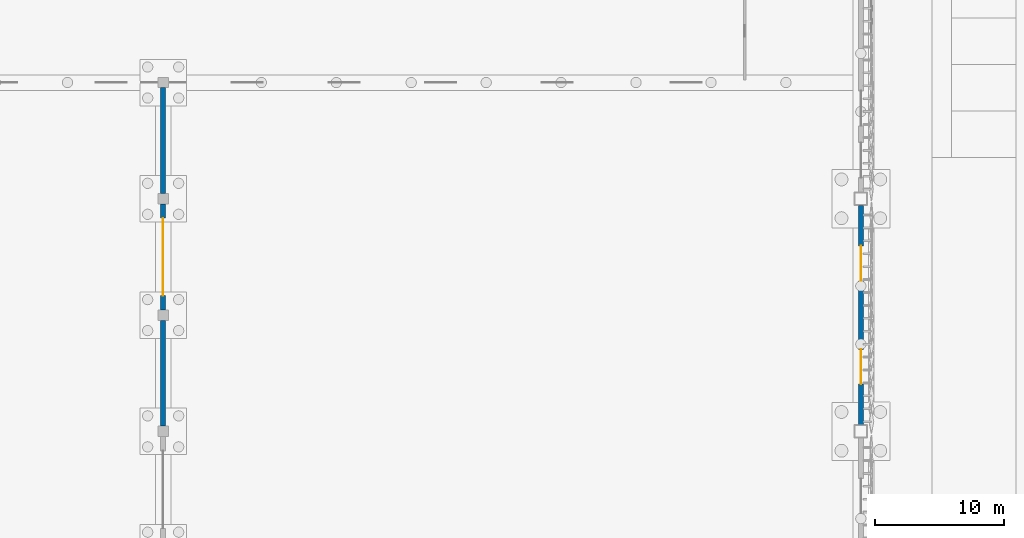
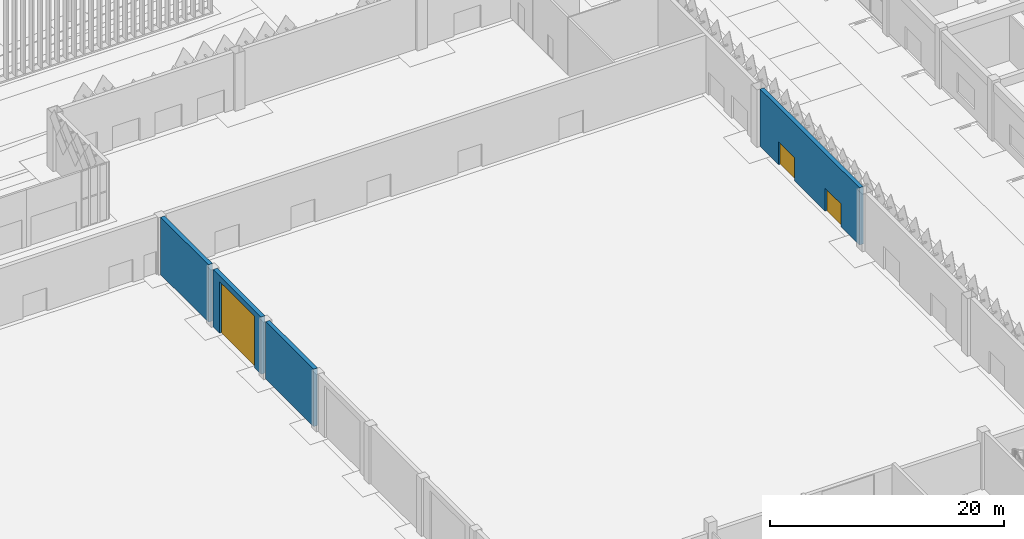
# One storey, part 90 of 198: 4 walls, 3 doors, 3 openings.
"""IFC4 building model written with IfcOpenShell, lengths in metres."""

from ifc_helpers import new_model, si_unit, direction, frame, frame_2d, origin, place, context, subcontext, project, spatial, rectangle, extrude, material, layer, layer_set, type_object, element, fill, save


model = new_model("IFC4")

# Units and contexts
model_context = context("Model", 3, precision=1e-05, world=origin(), true_north=direction((0.0, 1.0)))
body_context = subcontext(model_context, "Body", "Model", "MODEL_VIEW")
ifc_project = project(units=[si_unit("LENGTHUNIT", "METRE"), si_unit("AREAUNIT", "SQUARE_METRE"), si_unit("VOLUMEUNIT", "CUBIC_METRE"), si_unit("PLANEANGLEUNIT", "RADIAN"), si_unit("MASSUNIT", "GRAM", prefix="KILO")], contexts=[model_context])

# Site, building, storey
site_placement = place(None, origin())
site = spatial("IfcSite", under=ifc_project, at=site_placement, CompositionType="ELEMENT")
building_placement = place(site_placement, origin())
building = spatial("IfcBuilding", under=site, at=building_placement, Name="Opaline Strait Convention Centre", CompositionType="ELEMENT")
storey_placement = place(building_placement, origin())
storey = spatial("IfcBuildingStorey", under=building, at=storey_placement, Name="L00", CompositionType="ELEMENT", Elevation=0.0)

# Wall, openings, doors
ifc_material_1 = material(Name="Concrete C40", Category="concrete")
ifc_layer_1 = layer(ifc_material_1, 0.25)
ifc_material_2 = material(Name="Mineral wool insulation")
ifc_layer_2 = layer(ifc_material_2, 0.10009765625)
ifc_material_3 = material(Name="Gypsum board lining")
ifc_layer_3 = layer(ifc_material_3, 0.050048828125)
ifc_layer_set_1 = layer_set([ifc_layer_1, ifc_layer_2, ifc_layer_3], Name="Concrete C40, Mineral wool insulation, Gypsum board lining")
wall_type_1 = type_object("IfcWallType", Name="External wall RC 400 insulated", PredefinedType="SOLIDWALL", material=ifc_layer_set_1)
wall_1_placement = place(storey_placement, frame((261.0, 108.5, 0.0), z_axis=(0.0, 0.0, 1.0), x_axis=(0.0, 1.0, 0.0)))
wall_1 = element("IfcWall", 1, at=wall_1_placement, inside=storey, type_object=wall_type_1, Name="External wall E5", PredefinedType="SOLIDWALL", context=body_context, shape_type="SweptSolid", body=[
    extrude(rectangle(XDim=17.0, YDim=0.39990234375, at=frame_2d((8.5, 0.0))), origin(), (0.0, 0.0, 1.0), 6.0),
])
opening_1_placement = place(wall_1_placement, frame((3.14990234375, 0.0, 0.0)))
opening_1 = element("IfcOpeningElement", 2, at=opening_1_placement, cuts=wall_1, Name="Opening X0-046", PredefinedType="OPENING", context=body_context, shape_type="SweptSolid", body=[
    extrude(rectangle(XDim=2.699951171875, YDim=2.39990234375, at=frame_2d((1.35009765625, 1.199951171875))), frame((0.0, 0.2099609375, 0.0), z_axis=(0.0, -1.0, 0.0), x_axis=(1.0, 0.0, 0.0)), (0.0, 0.0, 1.0), 0.419921875),
])
opening_2_placement = place(wall_1_placement, frame((11.14990234375, 0.0, 0.0)))
opening_2 = element("IfcOpeningElement", 3, at=opening_2_placement, cuts=wall_1, Name="Opening X0-047", PredefinedType="OPENING", context=body_context, shape_type="SweptSolid", body=[
    extrude(rectangle(XDim=2.699951171875, YDim=2.39990234375, at=frame_2d((1.35009765625, 1.199951171875))), frame((0.0, 0.2099609375, 0.0), z_axis=(0.0, -1.0, 0.0), x_axis=(1.0, 0.0, 0.0)), (0.0, 0.0, 1.0), 0.419921875),
])
ifc_material_4 = material(Name="Steel Q235B", Category="steel")
door_type_1 = type_object("IfcDoorType", Name="Exit door pair 2700 x 2400", OperationType="DOUBLE_DOOR_SINGLE_SWING", PredefinedType="DOOR", material=ifc_material_4)
door_1_placement = place(opening_1_placement, frame((2.699951171875, 0.0, 0.0), z_axis=(0.0, 0.0, 1.0), x_axis=(-1.0, 0.0, 0.0)))
door_1 = element("IfcDoor", 4, at=door_1_placement, inside=storey, type_object=door_type_1, Name="Hall exit door E5", ObjectType="XD2", OperationType="DOUBLE_DOOR_SINGLE_SWING", OverallHeight=2.39990234375, OverallWidth=2.699951171875, PredefinedType="DOOR", context=body_context, shape_type="SweptSolid", body=[
    extrude(rectangle(XDim=2.699951171875, YDim=2.39990234375, at=frame_2d((1.35009765625, 1.199951171875))), frame((0.0, 0.02490234375, 0.0), z_axis=(0.0, -1.0, 0.0), x_axis=(1.0, 0.0, 0.0)), (0.0, 0.0, 1.0), 0.050048828125),
])
fill(opening_1, door_1)
door_2_placement = place(opening_2_placement, frame((2.699951171875, 0.0, 0.0), z_axis=(0.0, 0.0, 1.0), x_axis=(-1.0, 0.0, 0.0)))
door_2 = element("IfcDoor", 5, at=door_2_placement, inside=storey, type_object=door_type_1, Name="Hall exit door E6", ObjectType="XD2", OperationType="DOUBLE_DOOR_SINGLE_SWING", OverallHeight=2.39990234375, OverallWidth=2.699951171875, PredefinedType="DOOR", context=body_context, shape_type="SweptSolid", body=[
    extrude(rectangle(XDim=2.699951171875, YDim=2.39990234375, at=frame_2d((1.35009765625, 1.199951171875))), frame((0.0, 0.02490234375, 0.0), z_axis=(0.0, -1.0, 0.0), x_axis=(1.0, 0.0, 0.0)), (0.0, 0.0, 1.0), 0.050048828125),
])
fill(opening_2, door_2)

# Wall
ifc_layer_4 = layer(ifc_material_1, 0.39990234375)
ifc_layer_set_2 = layer_set([ifc_layer_4], Name="Concrete C40")
wall_type_2 = type_object("IfcWallType", Name="Fire wall RC 400 3 h", PredefinedType="SOLIDWALL", material=ifc_layer_set_2)
wall_2_placement = place(storey_placement, frame((207.0, 108.39990234375, 0.0), z_axis=(0.0, 0.0, 1.0), x_axis=(0.0, 1.0, 0.0)))
element("IfcWall", 6, at=wall_2_placement, inside=storey, type_object=wall_type_2, Name="Fire wall 207 panel 5", PredefinedType="SOLIDWALL", context=body_context, shape_type="SweptSolid", body=[
    extrude(rectangle(XDim=8.2001953125, YDim=0.39990234375, at=frame_2d((4.10009765625, 0.0))), origin(), (0.0, 0.0, 1.0), 6.0),
])

# Wall, opening, door
wall_3_placement = place(storey_placement, frame((207.0, 117.39990234375, 0.0), z_axis=(0.0, 0.0, 1.0), x_axis=(0.0, 1.0, 0.0)))
wall_3 = element("IfcWall", 7, at=wall_3_placement, inside=storey, type_object=wall_type_2, Name="Fire wall 207 panel 6", PredefinedType="SOLIDWALL", context=body_context, shape_type="SweptSolid", body=[
    extrude(rectangle(XDim=8.2001953125, YDim=0.39990234375, at=frame_2d((4.10009765625, 0.0))), origin(), (0.0, 0.0, 1.0), 6.0),
])
opening_3_placement = place(wall_3_placement, frame((1.10009765625, 0.0, 0.0)))
opening_3 = element("IfcOpeningElement", 8, at=opening_3_placement, cuts=wall_3, Name="Opening XFS6", PredefinedType="OPENING", context=body_context, shape_type="SweptSolid", body=[
    extrude(rectangle(XDim=6.0, YDim=5.39990234375, at=frame_2d((3.0, 2.699951171875))), frame((0.0, 0.2099609375, 0.0), z_axis=(0.0, -1.0, 0.0), x_axis=(1.0, 0.0, 0.0)), (0.0, 0.0, 1.0), 0.419921875),
])
ifc_material_5 = material(Name="Galvanised steel Q235B", Category="steel")
door_type_2 = type_object("IfcDoorType", Name="Fire shutter 6000 x 5400 EI 180", OperationType="ROLLINGUP", PredefinedType="DOOR", material=ifc_material_5)
door_3_placement = place(opening_3_placement, origin())
door_3 = element("IfcDoor", 9, at=door_3_placement, inside=storey, type_object=door_type_2, Name="Fire shutter 207 line 3", ObjectType="XFS", OperationType="ROLLINGUP", OverallHeight=5.39990234375, OverallWidth=6.0, PredefinedType="DOOR", context=body_context, shape_type="SweptSolid", body=[
    extrude(rectangle(XDim=6.0, YDim=5.39990234375, at=frame_2d((3.0, 2.699951171875))), frame((0.0, 0.02490234375, 0.0), z_axis=(0.0, -1.0, 0.0), x_axis=(1.0, 0.0, 0.0)), (0.0, 0.0, 1.0), 0.050048828125),
])
fill(opening_3, door_3)

# Wall
wall_4_placement = place(storey_placement, frame((207.0, 126.39990234375, 0.0), z_axis=(0.0, 0.0, 1.0), x_axis=(0.0, 1.0, 0.0)))
element("IfcWall", 10, at=wall_4_placement, inside=storey, type_object=wall_type_2, Name="Fire wall 207 panel 7", PredefinedType="SOLIDWALL", context=body_context, shape_type="SweptSolid", body=[
    extrude(rectangle(XDim=8.2001953125, YDim=0.39990234375, at=frame_2d((4.10009765625, 0.0))), origin(), (0.0, 0.0, 1.0), 6.0),
])

save(model, "model.ifc")
